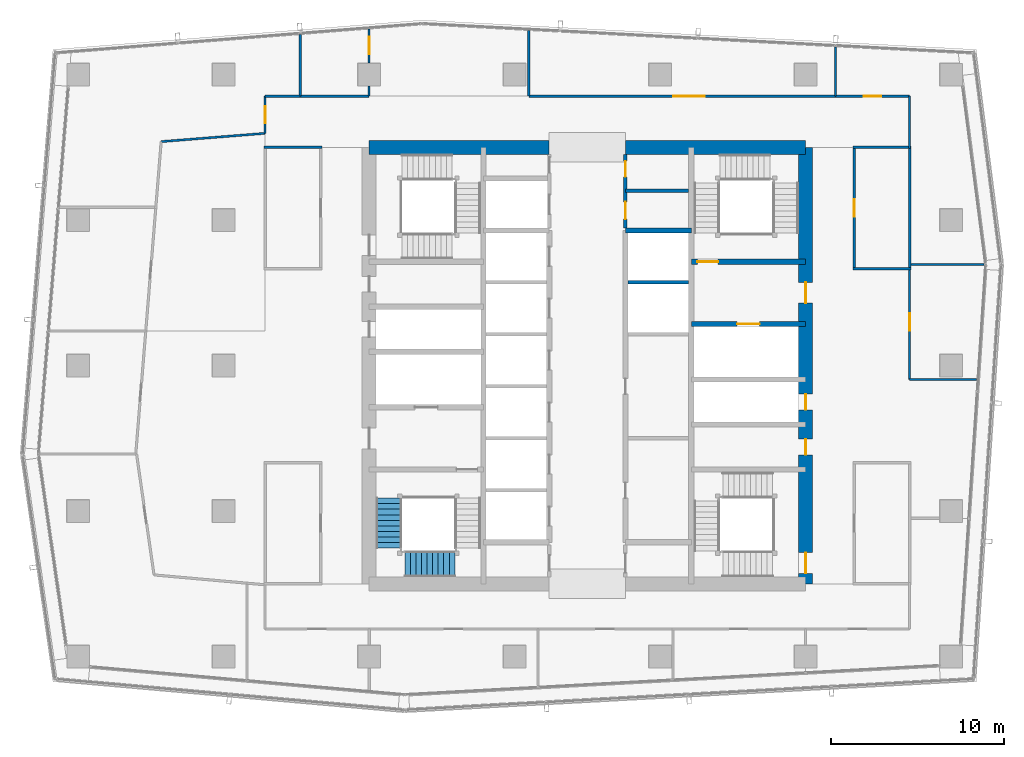
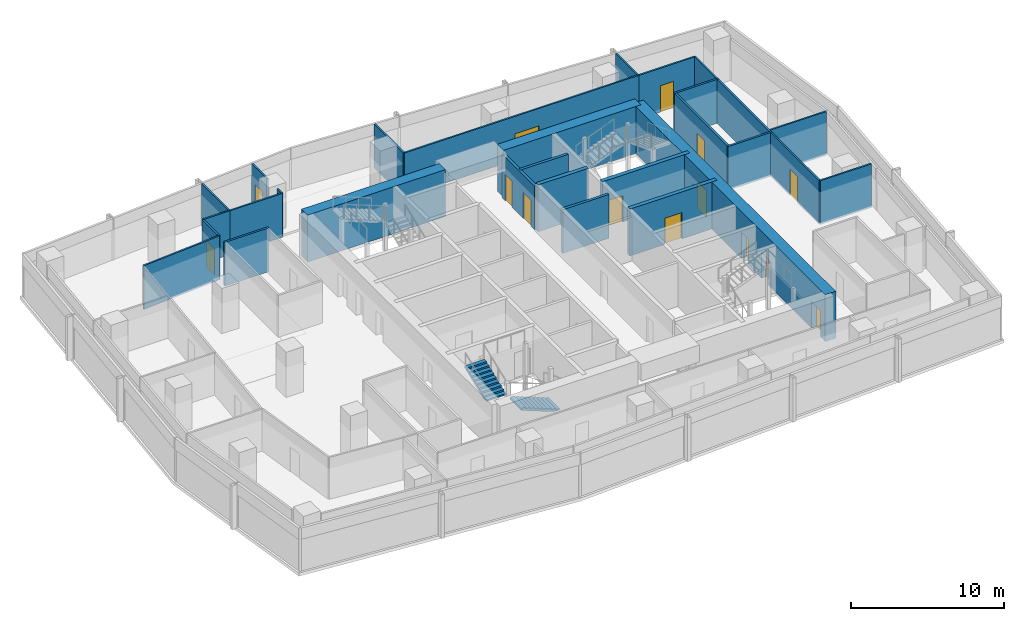
# One storey, part 24 of 30: 29 walls, 14 doors, 2 stair flights, 14 openings, 1 element without a shape of its own.
"""IFC4 building model written with IfcOpenShell, lengths in metres."""

from ifc_helpers import new_model, si_unit, direction, frame, frame_2d, origin, place, context, subcontext, project, spatial, polyline, rectangle, outline, extrude, material, layer, layer_set, type_object, element, fill, aggregate, save


model = new_model("IFC4")

# Units and contexts
model_context = context("Model", 3, precision=1e-05, world=origin(), true_north=direction((0.0, 1.0)))
body_context = subcontext(model_context, "Body", "Model", "MODEL_VIEW")
ifc_project = project(units=[si_unit("LENGTHUNIT", "METRE"), si_unit("AREAUNIT", "SQUARE_METRE"), si_unit("VOLUMEUNIT", "CUBIC_METRE"), si_unit("PLANEANGLEUNIT", "RADIAN"), si_unit("MASSUNIT", "GRAM", prefix="KILO")], contexts=[model_context])

# Site, building, storey
site_placement = place(None, origin())
site = spatial("IfcSite", under=ifc_project, at=site_placement, CompositionType="ELEMENT")
building_placement = place(site_placement, origin())
building = spatial("IfcBuilding", under=site, at=building_placement, Name="Rekha Terrace Tower", CompositionType="ELEMENT")
storey_placement = place(building_placement, frame((0.0, 0.0, 272.60009765625)))
storey = spatial("IfcBuildingStorey", under=building, at=storey_placement, Name="L69", CompositionType="ELEMENT", Elevation=272.60009765625)

# Wall
ifc_material_1 = material(Name="Concrete M60", Category="concrete")
ifc_layer_1 = layer(ifc_material_1, 0.300048828125)
ifc_layer_set_1 = layer_set([ifc_layer_1], Name="Concrete M60")
wall_type_1 = type_object("IfcWallType", Name="CI5 300 core internal shear wall", PredefinedType="SHEAR", material=ifc_layer_set_1)
wall_1_placement = place(storey_placement, frame((40.0, 41.39990234375, 0.0), z_axis=(0.0, 0.0, 1.0), x_axis=(1.0, 0.0, 0.0)))
element("IfcWall", 1, at=wall_1_placement, inside=storey, type_object=wall_type_1, Name="Core wall Y414E L69", PredefinedType="SHEAR", context=body_context, shape_type="SweptSolid", body=[
    extrude(rectangle(XDim=3.800048828125, YDim=0.300048828125, at=frame_2d((1.89990234375, 0.0))), origin(), (0.0, 0.0, 1.0), 3.75),
])

# Wall, opening, door
wall_2_placement = place(storey_placement, frame((43.800048828125, 36.0, 0.0), z_axis=(0.0, 0.0, 1.0), x_axis=(1.0, 0.0, 0.0)))
wall_2 = element("IfcWall", 2, at=wall_2_placement, inside=storey, type_object=wall_type_1, Name="Core wall Y360E L69", PredefinedType="SHEAR", context=body_context, shape_type="SweptSolid", body=[
    extrude(rectangle(XDim=6.599853515625, YDim=0.300048828125, at=frame_2d((3.2998046875, 0.0))), origin(), (0.0, 0.0, 1.0), 3.75),
])
opening_1_placement = place(wall_2_placement, frame((2.64990234375, 0.0, 0.0)))
opening_1 = element("IfcOpeningElement", 3, at=opening_1_placement, cuts=wall_2, Name="Opening LD2", PredefinedType="OPENING", context=body_context, shape_type="SweptSolid", body=[
    extrude(rectangle(XDim=1.300048828125, YDim=2.10009765625, at=frame_2d((0.64990234375, 1.050048828125))), frame((0.0, 0.159912109375, 0.0), z_axis=(0.0, -1.0, 0.0), x_axis=(1.0, 0.0, 0.0)), (0.0, 0.0, 1.0), 0.320068359375),
])
ifc_material_2 = material(Name="Stainless steel sliding landing door", Category="steel")
door_type_1 = type_object("IfcDoorType", Name="LD2 1300x2100 fire lift landing door", OperationType="SLIDING_TO_LEFT", PredefinedType="USERDEFINED", material=ifc_material_2)
door_1_placement = place(opening_1_placement, origin())
door_1 = element("IfcDoor", 4, at=door_1_placement, inside=storey, type_object=door_type_1, Name="Lift FL2 landing door L69", ObjectType="LIFT LANDING DOOR", OperationType="SLIDING_TO_LEFT", OverallHeight=2.10009765625, OverallWidth=1.300048828125, PredefinedType="USERDEFINED", context=body_context, shape_type="SweptSolid", body=[
    extrude(rectangle(XDim=1.300048828125, YDim=2.10009765625, at=frame_2d((0.64990234375, 1.050048828125))), frame((0.0, 0.02490234375, 0.0), z_axis=(0.0, -1.0, 0.0), x_axis=(1.0, 0.0, 0.0)), (0.0, 0.0, 1.0), 0.050048828125),
])
fill(opening_1, door_1)

wall_3_placement = place(storey_placement, frame((43.800048828125, 39.60009765625, 0.0), z_axis=(0.0, 0.0, 1.0), x_axis=(1.0, 0.0, 0.0)))
wall_3 = element("IfcWall", 5, at=wall_3_placement, inside=storey, type_object=wall_type_1, Name="Core wall Y396E L69", PredefinedType="SHEAR", context=body_context, shape_type="SweptSolid", body=[
    extrude(rectangle(XDim=6.599853515625, YDim=0.300048828125, at=frame_2d((3.2998046875, 0.0))), origin(), (0.0, 0.0, 1.0), 3.75),
])
opening_2_placement = place(wall_3_placement, frame((0.35009765625, 0.0, 0.0)))
opening_2 = element("IfcOpeningElement", 6, at=opening_2_placement, cuts=wall_3, Name="Opening D1", PredefinedType="OPENING", context=body_context, shape_type="SweptSolid", body=[
    extrude(rectangle(XDim=1.199951171875, YDim=2.10009765625, at=frame_2d((0.60009765625, 1.050048828125))), frame((0.0, 0.159912109375, 0.0), z_axis=(0.0, -1.0, 0.0), x_axis=(1.0, 0.0, 0.0)), (0.0, 0.0, 1.0), 0.320068359375),
])
ifc_material_3 = material(Name="Steel fire door", Category="steel")
door_type_2 = type_object("IfcDoorType", Name="D1 1200x2100 stair fire door", OperationType="SINGLE_SWING_RIGHT", PredefinedType="DOOR", material=ifc_material_3)
door_2_placement = place(opening_2_placement, origin())
door_2 = element("IfcDoor", 7, at=door_2_placement, inside=storey, type_object=door_type_2, Name="Stair ST2 door L69", OperationType="SINGLE_SWING_RIGHT", OverallHeight=2.10009765625, OverallWidth=1.199951171875, PredefinedType="DOOR", context=body_context, shape_type="SweptSolid", body=[
    extrude(rectangle(XDim=1.199951171875, YDim=2.10009765625, at=frame_2d((0.60009765625, 1.050048828125))), frame((0.0, 0.02490234375, 0.0), z_axis=(0.0, -1.0, 0.0), x_axis=(1.0, 0.0, 0.0)), (0.0, 0.0, 1.0), 0.050048828125),
])
fill(opening_2, door_2)

# Walls
ifc_layer_2 = layer(ifc_material_1, 0.800048828125)
ifc_layer_set_2 = layer_set([ifc_layer_2], Name="Concrete M60")
wall_type_2 = type_object("IfcWallType", Name="SW5 800 core outer shear wall", PredefinedType="SHEAR", material=ifc_layer_set_2)
wall_4_placement = place(storey_placement, frame((25.199951171875, 46.199951171875, 0.0), z_axis=(0.0, 0.0, 1.0), x_axis=(1.0, 0.0, 0.0)))
element("IfcWall", 8, at=wall_4_placement, inside=storey, type_object=wall_type_2, Name="Core wall N1 L69", PredefinedType="SHEAR", context=body_context, shape_type="SweptSolid", body=[
    extrude(rectangle(XDim=10.400146484375, YDim=0.800048828125, at=frame_2d((5.2001953125, 0.0))), origin(), (0.0, 0.0, 1.0), 3.75),
])
wall_5_placement = place(storey_placement, frame((40.0, 46.199951171875, 0.0), z_axis=(0.0, 0.0, 1.0), x_axis=(1.0, 0.0, 0.0)))
element("IfcWall", 9, at=wall_5_placement, inside=storey, type_object=wall_type_2, Name="Core wall N2 L69", PredefinedType="SHEAR", context=body_context, shape_type="SweptSolid", body=[
    extrude(rectangle(XDim=10.39990234375, YDim=0.800048828125, at=frame_2d((5.199951171875, 0.0))), origin(), (0.0, 0.0, 1.0), 3.75),
])

# Wall, openings, doors
wall_6_placement = place(storey_placement, frame((50.39990234375, 21.0, 0.0), z_axis=(0.0, 0.0, 1.0), x_axis=(0.0, 1.0, 0.0)))
wall_6 = element("IfcWall", 10, at=wall_6_placement, inside=storey, type_object=wall_type_2, Name="Core wall E L69", PredefinedType="SHEAR", context=body_context, shape_type="SweptSolid", body=[
    extrude(rectangle(XDim=25.199951171875, YDim=0.800048828125, at=frame_2d((12.60009765625, 0.0))), origin(), (0.0, 0.0, 1.0), 3.75),
])
opening_3_placement = place(wall_6_placement, frame((16.199951171875, 0.0, 0.0)))
opening_3 = element("IfcOpeningElement", 11, at=opening_3_placement, cuts=wall_6, Name="Opening D2", PredefinedType="OPENING", context=body_context, shape_type="SweptSolid", body=[
    extrude(rectangle(XDim=1.199951171875, YDim=2.10009765625, at=frame_2d((0.60009765625, 1.050048828125))), frame((0.0, 0.409912109375, 0.0), z_axis=(0.0, -1.0, 0.0), x_axis=(1.0, 0.0, 0.0)), (0.0, 0.0, 1.0), 0.820068359375),
])
opening_4_placement = place(wall_6_placement, frame((10.050048828125, 0.0, 0.0)))
opening_4 = element("IfcOpeningElement", 12, at=opening_4_placement, cuts=wall_6, Name="Opening D5", PredefinedType="OPENING", context=body_context, shape_type="SweptSolid", body=[
    extrude(rectangle(XDim=0.89990234375, YDim=2.10009765625, at=frame_2d((0.449951171875, 1.050048828125))), frame((0.0, 0.409912109375, 0.0), z_axis=(0.0, -1.0, 0.0), x_axis=(1.0, 0.0, 0.0)), (0.0, 0.0, 1.0), 0.820068359375),
])
opening_5_placement = place(wall_6_placement, frame((7.449951171875, 0.0, 0.0)))
opening_5 = element("IfcOpeningElement", 13, at=opening_5_placement, cuts=wall_6, Name="Opening D5", PredefinedType="OPENING", context=body_context, shape_type="SweptSolid", body=[
    extrude(rectangle(XDim=0.89990234375, YDim=2.10009765625, at=frame_2d((0.449951171875, 1.050048828125))), frame((0.0, 0.409912109375, 0.0), z_axis=(0.0, -1.0, 0.0), x_axis=(1.0, 0.0, 0.0)), (0.0, 0.0, 1.0), 0.820068359375),
])
opening_6_placement = place(wall_6_placement, frame((0.60009765625, 0.0, 0.0)))
opening_6 = element("IfcOpeningElement", 14, at=opening_6_placement, cuts=wall_6, Name="Opening D1", PredefinedType="OPENING", context=body_context, shape_type="SweptSolid", body=[
    extrude(rectangle(XDim=1.199951171875, YDim=2.10009765625, at=frame_2d((0.60009765625, 1.050048828125))), frame((0.0, 0.409912109375, 0.0), z_axis=(0.0, -1.0, 0.0), x_axis=(1.0, 0.0, 0.0)), (0.0, 0.0, 1.0), 0.820068359375),
])
door_3_placement = place(opening_6_placement, origin())
door_3 = element("IfcDoor", 15, at=door_3_placement, inside=storey, type_object=door_type_2, Name="Stair ST3 door L69", OperationType="SINGLE_SWING_RIGHT", OverallHeight=2.10009765625, OverallWidth=1.199951171875, PredefinedType="DOOR", context=body_context, shape_type="SweptSolid", body=[
    extrude(rectangle(XDim=1.199951171875, YDim=2.10009765625, at=frame_2d((0.60009765625, 1.050048828125))), frame((0.0, 0.02490234375, 0.0), z_axis=(0.0, -1.0, 0.0), x_axis=(1.0, 0.0, 0.0)), (0.0, 0.0, 1.0), 0.050048828125),
])
fill(opening_6, door_3)
door_type_3 = type_object("IfcDoorType", Name="D2 1200x2100 firefighting lobby door", OperationType="SINGLE_SWING_LEFT", PredefinedType="DOOR", material=ifc_material_3)
door_4_placement = place(opening_3_placement, origin())
door_4 = element("IfcDoor", 16, at=door_4_placement, inside=storey, type_object=door_type_3, Name="Door flb2 L69", OperationType="SINGLE_SWING_LEFT", OverallHeight=2.10009765625, OverallWidth=1.199951171875, PredefinedType="DOOR", context=body_context, shape_type="SweptSolid", body=[
    extrude(rectangle(XDim=1.199951171875, YDim=2.10009765625, at=frame_2d((0.60009765625, 1.050048828125))), frame((0.0, 0.02490234375, 0.0), z_axis=(0.0, -1.0, 0.0), x_axis=(1.0, 0.0, 0.0)), (0.0, 0.0, 1.0), 0.050048828125),
])
fill(opening_3, door_4)
door_type_4 = type_object("IfcDoorType", Name="D5 900x2100 riser access door", OperationType="SINGLE_SWING_LEFT", PredefinedType="DOOR", material=ifc_material_3)
door_5_placement = place(opening_4_placement, origin())
door_5 = element("IfcDoor", 17, at=door_5_placement, inside=storey, type_object=door_type_4, Name="Door rs2 L69", OperationType="SINGLE_SWING_LEFT", OverallHeight=2.10009765625, OverallWidth=0.89990234375, PredefinedType="DOOR", context=body_context, shape_type="SweptSolid", body=[
    extrude(rectangle(XDim=0.89990234375, YDim=2.10009765625, at=frame_2d((0.449951171875, 1.050048828125))), frame((0.0, 0.02490234375, 0.0), z_axis=(0.0, -1.0, 0.0), x_axis=(1.0, 0.0, 0.0)), (0.0, 0.0, 1.0), 0.050048828125),
])
fill(opening_4, door_5)
door_6_placement = place(opening_5_placement, origin())
door_6 = element("IfcDoor", 18, at=door_6_placement, inside=storey, type_object=door_type_4, Name="Door ele L69", OperationType="SINGLE_SWING_LEFT", OverallHeight=2.10009765625, OverallWidth=0.89990234375, PredefinedType="DOOR", context=body_context, shape_type="SweptSolid", body=[
    extrude(rectangle(XDim=0.89990234375, YDim=2.10009765625, at=frame_2d((0.449951171875, 1.050048828125))), frame((0.0, 0.02490234375, 0.0), z_axis=(0.0, -1.0, 0.0), x_axis=(1.0, 0.0, 0.0)), (0.0, 0.0, 1.0), 0.050048828125),
])
fill(opening_5, door_6)

# Walls
ifc_material_4 = material(Name="Concrete block masonry, 1 hour", Category="masonry")
ifc_layer_3 = layer(ifc_material_4, 0.14990234375)
ifc_layer_set_3 = layer_set([ifc_layer_3], Name="Concrete block masonry, 1 hour")
wall_type_3 = type_object("IfcWallType", Name="WP2 150 tenancy partition", PredefinedType="PARTITIONING", material=ifc_layer_set_3)
for number, where, z_axis, x_axis, name in (
    (19, (53.125, 39.199951171875, 0.0), (0.0, 0.0, 1.0), (1.0, 0.0, 0.0), "Women's WC wall L69"),
    (20, (53.125, 46.199951171875, 0.0), (0.0, 0.0, 1.0), (1.0, 0.0, 0.0), "Women's WC wall L69"),
):
    element("IfcWall", number, at=place(storey_placement, frame(where, z_axis=z_axis, x_axis=x_axis)), inside=storey, type_object=wall_type_3, Name=name, PredefinedType="PARTITIONING", context=body_context, shape_type="SweptSolid", body=[
        extrude(rectangle(XDim=3.35009765625, YDim=0.14990234375, at=frame_2d((1.675048828125, 0.0))), origin(), (0.0, 0.0, 1.0), 3.5),
    ])

# Wall, opening, door
wall_7_placement = place(storey_placement, frame((53.199951171875, 39.27490234375, 0.0), z_axis=(0.0, 0.0, 1.0), x_axis=(0.0, 1.0, 0.0)))
wall_7 = element("IfcWall", 21, at=wall_7_placement, inside=storey, type_object=wall_type_3, Name="Women's WC wall L69", PredefinedType="PARTITIONING", context=body_context, shape_type="SweptSolid", body=[
    extrude(rectangle(XDim=6.85009765625, YDim=0.14990234375, at=frame_2d((3.425048828125, 0.0))), origin(), (0.0, 0.0, 1.0), 3.5),
])
opening_7_placement = place(wall_7_placement, frame((2.925048828125, 0.0, 0.0)))
opening_7 = element("IfcOpeningElement", 22, at=opening_7_placement, cuts=wall_7, Name="Opening D3", PredefinedType="OPENING", context=body_context, shape_type="SweptSolid", body=[
    extrude(rectangle(XDim=1.0, YDim=2.10009765625, at=frame_2d((0.5, 1.050048828125))), frame((0.0, 0.0849609375, 0.0), z_axis=(0.0, -1.0, 0.0), x_axis=(1.0, 0.0, 0.0)), (0.0, 0.0, 1.0), 0.169921875),
])
ifc_material_5 = material(Name="Laminated timber fire door", Category="wood")
door_type_5 = type_object("IfcDoorType", Name="D3 1000x2100 WC door", OperationType="SINGLE_SWING_LEFT", PredefinedType="DOOR", material=ifc_material_5)
door_7_placement = place(opening_7_placement, origin())
door_7 = element("IfcDoor", 23, at=door_7_placement, inside=storey, type_object=door_type_5, Name="Door women's wc L69", OperationType="SINGLE_SWING_LEFT", OverallHeight=2.10009765625, OverallWidth=1.0, PredefinedType="DOOR", context=body_context, shape_type="SweptSolid", body=[
    extrude(rectangle(XDim=1.0, YDim=2.10009765625, at=frame_2d((0.5, 1.050048828125))), frame((0.0, 0.02490234375, 0.0), z_axis=(0.0, -1.0, 0.0), x_axis=(1.0, 0.0, 0.0)), (0.0, 0.0, 1.0), 0.050048828125),
])
fill(opening_7, door_7)

# Walls
wall_8_placement = place(storey_placement, frame((56.39990234375, 39.27490234375, 0.0), z_axis=(0.0, 0.0, 1.0), x_axis=(0.0, 1.0, 0.0)))
element("IfcWall", 24, at=wall_8_placement, inside=storey, type_object=wall_type_3, Name="Women's WC wall L69", PredefinedType="PARTITIONING", context=body_context, shape_type="SweptSolid", body=[
    extrude(rectangle(XDim=6.85009765625, YDim=0.14990234375, at=frame_2d((3.425048828125, 0.0))), origin(), (0.0, 0.0, 1.0), 3.5),
])
wall_9_placement = place(storey_placement, frame((19.125, 46.199951171875, 0.0), z_axis=(0.0, 0.0, 1.0), x_axis=(1.0, 0.0, 0.0)))
element("IfcWall", 25, at=wall_9_placement, inside=storey, type_object=wall_type_3, Name="Women's WC wall L69", PredefinedType="PARTITIONING", context=body_context, shape_type="SweptSolid", body=[
    extrude(rectangle(XDim=3.35009765625, YDim=0.14990234375, at=frame_2d((1.675048828125, 0.0))), origin(), (0.0, 0.0, 1.0), 3.5),
])
ifc_material_6 = material(Name="Two layers of fire-rated gypsum board each side on steel studs, acoustic quilt, 1 hour", Category="steel")
ifc_layer_4 = layer(ifc_material_6, 0.125)
ifc_layer_set_4 = layer_set([ifc_layer_4], Name="Two layers of fire-rated gypsum board each side on steel studs, acoustic quilt, 1 hour")
wall_type_4 = type_object("IfcWallType", Name="WP3 125 office partition", PredefinedType="PARTITIONING", material=ifc_layer_set_4)
wall_10_placement = place(storey_placement, frame((60.26611328125, 32.7919921875, 0.0), z_axis=(0.0, 0.0, 1.0), x_axis=(-1.0, 0.0, 0.0)))
element("IfcWall", 26, at=wall_10_placement, inside=storey, type_object=wall_type_4, Name="Partition L69-02", PredefinedType="PARTITIONING", context=body_context, shape_type="SweptSolid", body=[
    extrude(rectangle(XDim=3.8662109375, YDim=0.125, at=frame_2d((1.93310546875, 0.0))), origin(), (0.0, 0.0, 1.0), 3.5),
])

# Wall, opening, door
wall_11_placement = place(storey_placement, frame((56.39990234375, 32.7919921875, 0.0), z_axis=(0.0, 0.0, 1.0), x_axis=(0.0, 1.0, 0.0)))
wall_11 = element("IfcWall", 27, at=wall_11_placement, inside=storey, type_object=wall_type_4, Name="Partition L69-02", PredefinedType="PARTITIONING", context=body_context, shape_type="SweptSolid", body=[
    extrude(rectangle(XDim=6.48193359375, YDim=0.125, at=frame_2d((3.240966796875, 0.0))), origin(), (0.0, 0.0, 1.0), 3.5),
])
opening_8_placement = place(wall_11_placement, frame((2.822998046875, 0.0, 0.0)))
opening_8 = element("IfcOpeningElement", 28, at=opening_8_placement, cuts=wall_11, Name="Opening D9", PredefinedType="OPENING", context=body_context, shape_type="SweptSolid", body=[
    extrude(rectangle(XDim=1.0, YDim=2.10009765625, at=frame_2d((0.5, 1.050048828125))), frame((0.0, 0.072509765625, 0.0), z_axis=(0.0, -1.0, 0.0), x_axis=(1.0, 0.0, 0.0)), (0.0, 0.0, 1.0), 0.14501953125),
])
ifc_material_7 = material(Name="Timber fire door", Category="wood")
door_type_6 = type_object("IfcDoorType", Name="D9 1000x2100 office door", OperationType="SINGLE_SWING_LEFT", PredefinedType="DOOR", material=ifc_material_7)
door_8_placement = place(opening_8_placement, origin())
door_8 = element("IfcDoor", 29, at=door_8_placement, inside=storey, type_object=door_type_6, Name="Door meeting room L69", OperationType="SINGLE_SWING_LEFT", OverallHeight=2.10009765625, OverallWidth=1.0, PredefinedType="DOOR", context=body_context, shape_type="SweptSolid", body=[
    extrude(rectangle(XDim=1.0, YDim=2.10009765625, at=frame_2d((0.5, 1.050048828125))), frame((0.0, 0.02490234375, 0.0), z_axis=(0.0, -1.0, 0.0), x_axis=(1.0, 0.0, 0.0)), (0.0, 0.0, 1.0), 0.050048828125),
])
fill(opening_8, door_8)

# Walls
wall_12_placement = place(storey_placement, frame((56.47509765625, 39.43896484375, 0.0), z_axis=(0.0, 0.0, 1.0), x_axis=(1.0, 0.0, 0.0)))
element("IfcWall", 30, at=wall_12_placement, inside=storey, type_object=wall_type_4, Name="Partition L69-02", PredefinedType="PARTITIONING", context=body_context, shape_type="SweptSolid", body=[
    extrude(rectangle(XDim=4.224853515625, YDim=0.125, at=frame_2d((2.1123046875, 0.0))), origin(), (0.0, 0.0, 1.0), 3.5),
])
wall_13_placement = place(storey_placement, frame((52.123046875, 49.14990234375, 0.0), z_axis=(0.0, 0.0, 1.0), x_axis=(0.0, 1.0, 0.0)))
element("IfcWall", 31, at=wall_13_placement, inside=storey, type_object=wall_type_4, Name="Partition L69-03", PredefinedType="PARTITIONING", context=body_context, shape_type="SweptSolid", body=[
    extrude(rectangle(XDim=2.85205078125, YDim=0.125, at=frame_2d((1.426025390625, 0.0))), origin(), (0.0, 0.0, 1.0), 3.5),
])
wall_14_placement = place(storey_placement, frame((56.39990234375, 46.125, 0.0), z_axis=(0.0, 0.0, 1.0), x_axis=(0.0, 1.0, 0.0)))
element("IfcWall", 32, at=wall_14_placement, inside=storey, type_object=wall_type_4, Name="Partition L69-03", PredefinedType="PARTITIONING", context=body_context, shape_type="SweptSolid", body=[
    extrude(rectangle(XDim=3.02490234375, YDim=0.125, at=frame_2d((1.512451171875, 0.0))), origin(), (0.0, 0.0, 1.0), 3.5),
])

# Wall, opening, door
wall_15_placement = place(storey_placement, frame((56.39990234375, 49.14990234375, 0.0), z_axis=(0.0, 0.0, 1.0), x_axis=(-1.0, 0.0, 0.0)))
wall_15 = element("IfcWall", 33, at=wall_15_placement, inside=storey, type_object=wall_type_4, Name="Partition L69-03", PredefinedType="PARTITIONING", context=body_context, shape_type="SweptSolid", body=[
    extrude(rectangle(XDim=4.27685546875, YDim=0.125, at=frame_2d((2.138427734375, 0.0))), origin(), (0.0, 0.0, 1.0), 3.5),
])
opening_9_placement = place(wall_15_placement, frame((1.638916015625, 0.0, 0.0)))
opening_9 = element("IfcOpeningElement", 34, at=opening_9_placement, cuts=wall_15, Name="Opening D9", PredefinedType="OPENING", context=body_context, shape_type="SweptSolid", body=[
    extrude(rectangle(XDim=1.0, YDim=2.10009765625, at=frame_2d((0.5, 1.050048828125))), frame((0.0, 0.072509765625, 0.0), z_axis=(0.0, -1.0, 0.0), x_axis=(1.0, 0.0, 0.0)), (0.0, 0.0, 1.0), 0.14501953125),
])
door_9_placement = place(opening_9_placement, origin())
door_9 = element("IfcDoor", 35, at=door_9_placement, inside=storey, type_object=door_type_6, Name="Door chairman's office L69", OperationType="SINGLE_SWING_LEFT", OverallHeight=2.10009765625, OverallWidth=1.0, PredefinedType="DOOR", context=body_context, shape_type="SweptSolid", body=[
    extrude(rectangle(XDim=1.0, YDim=2.10009765625, at=frame_2d((0.5, 1.050048828125))), frame((0.0, 0.02490234375, 0.0), z_axis=(0.0, -1.0, 0.0), x_axis=(1.0, 0.0, 0.0)), (0.0, 0.0, 1.0), 0.050048828125),
])
fill(opening_9, door_9)

wall_16_placement = place(storey_placement, frame((52.123046875, 49.14990234375, 0.0), z_axis=(0.0, 0.0, 1.0), x_axis=(-1.0, 0.0, 0.0)))
wall_16 = element("IfcWall", 36, at=wall_16_placement, inside=storey, type_object=wall_type_4, Name="Partition L69-04", PredefinedType="PARTITIONING", context=body_context, shape_type="SweptSolid", body=[
    extrude(rectangle(XDim=17.705078125, YDim=0.125, at=frame_2d((8.8525390625, 0.0))), origin(), (0.0, 0.0, 1.0), 3.5),
])
opening_10_placement = place(wall_16_placement, frame((7.552978515625, 0.0, 0.0)))
opening_10 = element("IfcOpeningElement", 37, at=opening_10_placement, cuts=wall_16, Name="Opening D8", PredefinedType="OPENING", context=body_context, shape_type="SweptSolid", body=[
    extrude(rectangle(XDim=1.800048828125, YDim=2.10009765625, at=frame_2d((0.89990234375, 1.050048828125))), frame((0.0, 0.072509765625, 0.0), z_axis=(0.0, -1.0, 0.0), x_axis=(1.0, 0.0, 0.0)), (0.0, 0.0, 1.0), 0.14501953125),
])
door_type_7 = type_object("IfcDoorType", Name="D8 1800x2100 double leaf door", OperationType="DOUBLE_DOOR_SINGLE_SWING", PredefinedType="DOOR", material=ifc_material_7)
door_10_placement = place(opening_10_placement, origin())
door_10 = element("IfcDoor", 38, at=door_10_placement, inside=storey, type_object=door_type_7, Name="Door meeting room L69", OperationType="DOUBLE_DOOR_SINGLE_SWING", OverallHeight=2.10009765625, OverallWidth=1.800048828125, PredefinedType="DOOR", context=body_context, shape_type="SweptSolid", body=[
    extrude(rectangle(XDim=1.800048828125, YDim=2.10009765625, at=frame_2d((0.89990234375, 1.050048828125))), frame((0.0, 0.02490234375, 0.0), z_axis=(0.0, -1.0, 0.0), x_axis=(1.0, 0.0, 0.0)), (0.0, 0.0, 1.0), 0.050048828125),
])
fill(opening_10, door_10)

# Wall
wall_17_placement = place(storey_placement, frame((34.41796875, 49.14990234375, 0.0), z_axis=(0.0, 0.0, 1.0), x_axis=(0.0, 1.0, 0.0)))
element("IfcWall", 39, at=wall_17_placement, inside=storey, type_object=wall_type_4, Name="Partition L69-04", PredefinedType="PARTITIONING", context=body_context, shape_type="SweptSolid", body=[
    extrude(rectangle(XDim=3.793212890625, YDim=0.125, at=frame_2d((1.896484375, 0.0))), origin(), (0.0, 0.0, 1.0), 3.5),
])

# Wall, opening, door
wall_18_placement = place(storey_placement, frame((25.205078125, 53.02490234375, 0.0), z_axis=(0.0, 0.0, 1.0), x_axis=(0.0, -1.0, 0.0)))
wall_18 = element("IfcWall", 40, at=wall_18_placement, inside=storey, type_object=wall_type_4, Name="Partition L69-05", PredefinedType="PARTITIONING", context=body_context, shape_type="SweptSolid", body=[
    extrude(rectangle(XDim=1.954833984375, YDim=0.125, at=frame_2d((0.9775390625, 0.0))), origin(), (0.0, 0.0, 1.0), 3.5),
])
opening_11_placement = place(wall_18_placement, frame((0.443115234375, 0.0, 0.0)))
opening_11 = element("IfcOpeningElement", 41, at=opening_11_placement, cuts=wall_18, Name="Opening D9", PredefinedType="OPENING", context=body_context, shape_type="SweptSolid", body=[
    extrude(rectangle(XDim=1.0, YDim=2.10009765625, at=frame_2d((0.5, 1.050048828125))), frame((0.0, 0.072509765625, 0.0), z_axis=(0.0, -1.0, 0.0), x_axis=(1.0, 0.0, 0.0)), (0.0, 0.0, 1.0), 0.14501953125),
])
door_11_placement = place(opening_11_placement, origin())
door_11 = element("IfcDoor", 42, at=door_11_placement, inside=storey, type_object=door_type_6, Name="Door meeting room L69", OperationType="SINGLE_SWING_LEFT", OverallHeight=2.10009765625, OverallWidth=1.0, PredefinedType="DOOR", context=body_context, shape_type="SweptSolid", body=[
    extrude(rectangle(XDim=1.0, YDim=2.10009765625, at=frame_2d((0.5, 1.050048828125))), frame((0.0, 0.02490234375, 0.0), z_axis=(0.0, -1.0, 0.0), x_axis=(1.0, 0.0, 0.0)), (0.0, 0.0, 1.0), 0.050048828125),
])
fill(opening_11, door_11)

# Walls
wall_19_placement = place(storey_placement, frame((25.205078125, 49.72998046875, 0.0), z_axis=(0.0, 0.0, 1.0), x_axis=(0.0, -1.0, 0.0)))
element("IfcWall", 43, at=wall_19_placement, inside=storey, type_object=wall_type_4, Name="Partition L69-05", PredefinedType="PARTITIONING", context=body_context, shape_type="SweptSolid", body=[
    extrude(rectangle(XDim=0.580078125, YDim=0.125, at=frame_2d((0.2900390625, 0.0))), origin(), (0.0, 0.0, 1.0), 3.5),
])
wall_20_placement = place(storey_placement, frame((25.205078125, 49.14990234375, 0.0), z_axis=(0.0, 0.0, 1.0), x_axis=(-1.0, 0.0, 0.0)))
element("IfcWall", 44, at=wall_20_placement, inside=storey, type_object=wall_type_4, Name="Partition L69-05", PredefinedType="PARTITIONING", context=body_context, shape_type="SweptSolid", body=[
    extrude(rectangle(XDim=3.97802734375, YDim=0.125, at=frame_2d((1.989013671875, 0.0))), origin(), (0.0, 0.0, 1.0), 3.5),
])
wall_21_placement = place(storey_placement, frame((21.22705078125, 49.14990234375, 0.0), z_axis=(0.0, 0.0, 1.0), x_axis=(0.0, 1.0, 0.0)))
element("IfcWall", 45, at=wall_21_placement, inside=storey, type_object=wall_type_4, Name="Partition L69-05", PredefinedType="PARTITIONING", context=body_context, shape_type="SweptSolid", body=[
    extrude(rectangle(XDim=3.55810546875, YDim=0.125, at=frame_2d((1.779052734375, 0.0))), origin(), (0.0, 0.0, 1.0), 3.5),
])
wall_22_placement = place(storey_placement, frame((19.199951171875, 47.008056640625, 0.0), z_axis=(0.0, 0.0, 1.0), x_axis=(-0.996842300725, -0.079406721921, 0.0)))
element("IfcWall", 46, at=wall_22_placement, inside=storey, type_object=wall_type_4, Name="Partition L69-06", PredefinedType="PARTITIONING", context=body_context, shape_type="SweptSolid", body=[
    extrude(rectangle(XDim=6.02001953125, YDim=0.125, at=frame_2d((3.010009765625, 0.0))), origin(), (0.0, 0.0, 1.0), 3.5),
])
wall_23_placement = place(storey_placement, frame((21.22607421875, 49.14990234375, 0.0), z_axis=(0.0, 0.0, 1.0), x_axis=(-1.0, 0.0, 0.0)))
element("IfcWall", 47, at=wall_23_placement, inside=storey, type_object=wall_type_4, Name="Partition L69-06", PredefinedType="PARTITIONING", context=body_context, shape_type="SweptSolid", body=[
    extrude(rectangle(XDim=2.026123046875, YDim=0.125, at=frame_2d((1.01318359375, 0.0))), origin(), (0.0, 0.0, 1.0), 3.5),
])

# Wall, opening, door
wall_24_placement = place(storey_placement, frame((19.199951171875, 49.14990234375, 0.0), z_axis=(0.0, 0.0, 1.0), x_axis=(0.0, -1.0, 0.0)))
wall_24 = element("IfcWall", 48, at=wall_24_placement, inside=storey, type_object=wall_type_4, Name="Partition L69-06", PredefinedType="PARTITIONING", context=body_context, shape_type="SweptSolid", body=[
    extrude(rectangle(XDim=2.141845703125, YDim=0.125, at=frame_2d((1.07080078125, 0.0))), origin(), (0.0, 0.0, 1.0), 3.5),
])
opening_12_placement = place(wall_24_placement, frame((0.571044921875, 0.0, 0.0)))
opening_12 = element("IfcOpeningElement", 49, at=opening_12_placement, cuts=wall_24, Name="Opening D9", PredefinedType="OPENING", context=body_context, shape_type="SweptSolid", body=[
    extrude(rectangle(XDim=1.0, YDim=2.10009765625, at=frame_2d((0.5, 1.050048828125))), frame((0.0, 0.072509765625, 0.0), z_axis=(0.0, -1.0, 0.0), x_axis=(1.0, 0.0, 0.0)), (0.0, 0.0, 1.0), 0.14501953125),
])
door_12_placement = place(opening_12_placement, origin())
door_12 = element("IfcDoor", 50, at=door_12_placement, inside=storey, type_object=door_type_6, Name="Door director's office L69", OperationType="SINGLE_SWING_LEFT", OverallHeight=2.10009765625, OverallWidth=1.0, PredefinedType="DOOR", context=body_context, shape_type="SweptSolid", body=[
    extrude(rectangle(XDim=1.0, YDim=2.10009765625, at=frame_2d((0.5, 1.050048828125))), frame((0.0, 0.02490234375, 0.0), z_axis=(0.0, -1.0, 0.0), x_axis=(1.0, 0.0, 0.0)), (0.0, 0.0, 1.0), 0.050048828125),
])
fill(opening_12, door_12)

# Wall
ifc_material_8 = material(Name="Solid concrete block masonry, 2 hour", Category="masonry")
ifc_layer_5 = layer(ifc_material_8, 0.199951171875)
ifc_layer_set_5 = layer_set([ifc_layer_5], Name="Solid concrete block masonry, 2 hour")
wall_type_5 = type_object("IfcWallType", Name="WS1 200 stair and shaft enclosure", PredefinedType="PARTITIONING", material=ifc_layer_set_5)
wall_25_placement = place(storey_placement, frame((40.14990234375, 38.39990234375, 0.0), z_axis=(0.0, 0.0, 1.0), x_axis=(1.0, 0.0, 0.0)))
element("IfcWall", 51, at=wall_25_placement, inside=storey, type_object=wall_type_5, Name="Lift shaft divider L69", PredefinedType="PARTITIONING", context=body_context, shape_type="SweptSolid", body=[
    extrude(rectangle(XDim=3.5, YDim=0.199951171875, at=frame_2d((1.75, 0.0))), origin(), (0.0, 0.0, 1.0), 3.5),
])

# Wall, openings, doors
wall_26_placement = place(storey_placement, frame((40.0, 41.550048828125, 0.0), z_axis=(0.0, 0.0, 1.0), x_axis=(0.0, 1.0, 0.0)))
wall_26 = element("IfcWall", 52, at=wall_26_placement, inside=storey, type_object=wall_type_5, Name="Core partition elec L69", PredefinedType="PARTITIONING", context=body_context, shape_type="SweptSolid", body=[
    extrude(rectangle(XDim=4.25, YDim=0.199951171875, at=frame_2d((2.125, 0.0))), origin(), (0.0, 0.0, 1.0), 3.5),
])
opening_13_placement = place(wall_26_placement, frame((2.949951171875, 0.0, 0.0)))
opening_13 = element("IfcOpeningElement", 53, at=opening_13_placement, cuts=wall_26, Name="Opening D5", PredefinedType="OPENING", context=body_context, shape_type="SweptSolid", body=[
    extrude(rectangle(XDim=0.89990234375, YDim=2.10009765625, at=frame_2d((0.449951171875, 1.050048828125))), frame((0.0, 0.10986328125, 0.0), z_axis=(0.0, -1.0, 0.0), x_axis=(1.0, 0.0, 0.0)), (0.0, 0.0, 1.0), 0.219970703125),
])
opening_14_placement = place(wall_26_placement, frame((0.5, 0.0, 0.0)))
opening_14 = element("IfcOpeningElement", 54, at=opening_14_placement, cuts=wall_26, Name="Opening D9", PredefinedType="OPENING", context=body_context, shape_type="SweptSolid", body=[
    extrude(rectangle(XDim=1.0, YDim=2.10009765625, at=frame_2d((0.5, 1.050048828125))), frame((0.0, 0.10986328125, 0.0), z_axis=(0.0, -1.0, 0.0), x_axis=(1.0, 0.0, 0.0)), (0.0, 0.0, 1.0), 0.219970703125),
])
door_13_placement = place(opening_13_placement, origin())
door_13 = element("IfcDoor", 55, at=door_13_placement, inside=storey, type_object=door_type_4, Name="Door electrical room L69", OperationType="SINGLE_SWING_LEFT", OverallHeight=2.10009765625, OverallWidth=0.89990234375, PredefinedType="DOOR", context=body_context, shape_type="SweptSolid", body=[
    extrude(rectangle(XDim=0.89990234375, YDim=2.10009765625, at=frame_2d((0.449951171875, 1.050048828125))), frame((0.0, 0.02490234375, 0.0), z_axis=(0.0, -1.0, 0.0), x_axis=(1.0, 0.0, 0.0)), (0.0, 0.0, 1.0), 0.050048828125),
])
fill(opening_13, door_13)
door_14_placement = place(opening_14_placement, origin())
door_14 = element("IfcDoor", 56, at=door_14_placement, inside=storey, type_object=door_type_6, Name="Door first aid room L69", OperationType="SINGLE_SWING_LEFT", OverallHeight=2.10009765625, OverallWidth=1.0, PredefinedType="DOOR", context=body_context, shape_type="SweptSolid", body=[
    extrude(rectangle(XDim=1.0, YDim=2.10009765625, at=frame_2d((0.5, 1.050048828125))), frame((0.0, 0.02490234375, 0.0), z_axis=(0.0, -1.0, 0.0), x_axis=(1.0, 0.0, 0.0)), (0.0, 0.0, 1.0), 0.050048828125),
])
fill(opening_14, door_14)

# Wall
wall_27_placement = place(storey_placement, frame((40.0, 43.699951171875, 0.0), z_axis=(0.0, 0.0, 1.0), x_axis=(1.0, 0.0, 0.0)))
element("IfcWall", 57, at=wall_27_placement, inside=storey, type_object=wall_type_5, Name="Core partition elx L69", PredefinedType="PARTITIONING", context=body_context, shape_type="SweptSolid", body=[
    extrude(rectangle(XDim=3.64990234375, YDim=0.199951171875, at=frame_2d((1.824951171875, 0.0))), origin(), (0.0, 0.0, 1.0), 3.5),
])

# Stair, stair flights
ifc_material_9 = material(Name="Concrete M40", Category="concrete")
stair_type = type_object("IfcStairType", Name="ST30 stair, 30 risers of 125, going 320, 1500 wide flights, 3 flights", PredefinedType="HALF_TURN_STAIR", material=ifc_material_9)
stair_placement = place(storey_placement, origin())
stair = element("IfcStair", 58, at=stair_placement, inside=storey, type_object=stair_type, Name="Stair ST1 L69 to L70", PredefinedType="HALF_TURN_STAIR")
stair_flight_type = type_object("IfcStairFlightType", Name="SF10 stair flight, 10 risers of 125, going 320, 1500 wide", PredefinedType="STRAIGHT", material=ifc_material_9)
stair_flight_1_placement = place(storey_placement, frame((30.14990234375, 22.14990234375, 1.25), z_axis=(0.0, 0.0, 1.0), x_axis=(-1.0, 0.0, 0.0)))
stair_flight_1 = element("IfcStairFlight", 59, at=stair_flight_1_placement, type_object=stair_flight_type, Name="ST1 flight 2", NumberOfRisers=10, NumberOfTreads=9, PredefinedType="STRAIGHT", RiserHeight=0.125, TreadLength=0.32, context=body_context, shape_type="SweptSolid", body=[
    extrude(outline(polyline([(0.0, 0.0), (0.0, 0.125), (0.320068359375, 0.125), (0.320068359375, 0.25), (0.639892578125, 0.25), (0.639892578125, 0.375), (0.9599609375, 0.375), (0.9599609375, 0.5), (1.280029296875, 0.5), (1.280029296875, 0.625), (1.60009765625, 0.625), (1.60009765625, 0.75), (1.919921875, 0.75), (1.919921875, 0.875), (2.239990234375, 0.875), (2.239990234375, 1.0), (2.56005859375, 1.0), (2.56005859375, 1.125), (2.8798828125, 1.125), (2.8798828125, 1.25), (2.8798828125, 0.964111328125), (0.412109375, 0.0), (0.0, 0.0)])), frame((0.0, 0.75, 0.0), z_axis=(0.0, -1.0, 0.0), x_axis=(1.0, 0.0, 0.0)), (0.0, 0.0, 1.0), 1.5),
])
stair_flight_2_placement = place(storey_placement, frame((26.35009765625, 23.070068359375, 2.5), z_axis=(0.0, 0.0, 1.0), x_axis=(0.0, 1.0, 0.0)))
stair_flight_2 = element("IfcStairFlight", 60, at=stair_flight_2_placement, type_object=stair_flight_type, Name="ST1 flight 3", NumberOfRisers=10, NumberOfTreads=9, PredefinedType="STRAIGHT", RiserHeight=0.125, TreadLength=0.32, context=body_context, shape_type="SweptSolid", body=[
    extrude(outline(polyline([(0.0, 0.0), (0.0, 0.125), (0.320068359375, 0.125), (0.320068359375, 0.25), (0.639892578125, 0.25), (0.639892578125, 0.375), (0.9599609375, 0.375), (0.9599609375, 0.5), (1.280029296875, 0.5), (1.280029296875, 0.625), (1.60009765625, 0.625), (1.60009765625, 0.75), (1.919921875, 0.75), (1.919921875, 0.875), (2.239990234375, 0.875), (2.239990234375, 1.0), (2.56005859375, 1.0), (2.56005859375, 1.125), (2.8798828125, 1.125), (2.8798828125, 1.25), (2.8798828125, 0.964111328125), (0.412109375, 0.0), (0.0, 0.0)])), frame((0.0, 0.75, 0.0), z_axis=(0.0, -1.0, 0.0), x_axis=(1.0, 0.0, 0.0)), (0.0, 0.0, 1.0), 1.5),
])
aggregate(stair, [stair_flight_1, stair_flight_2])

save(model, "model.ifc")
